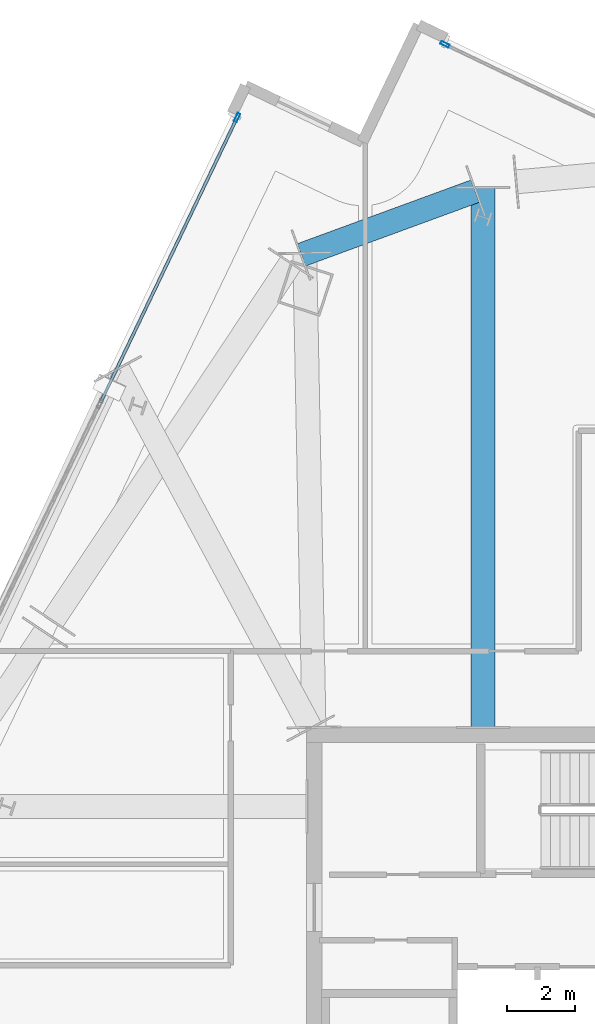
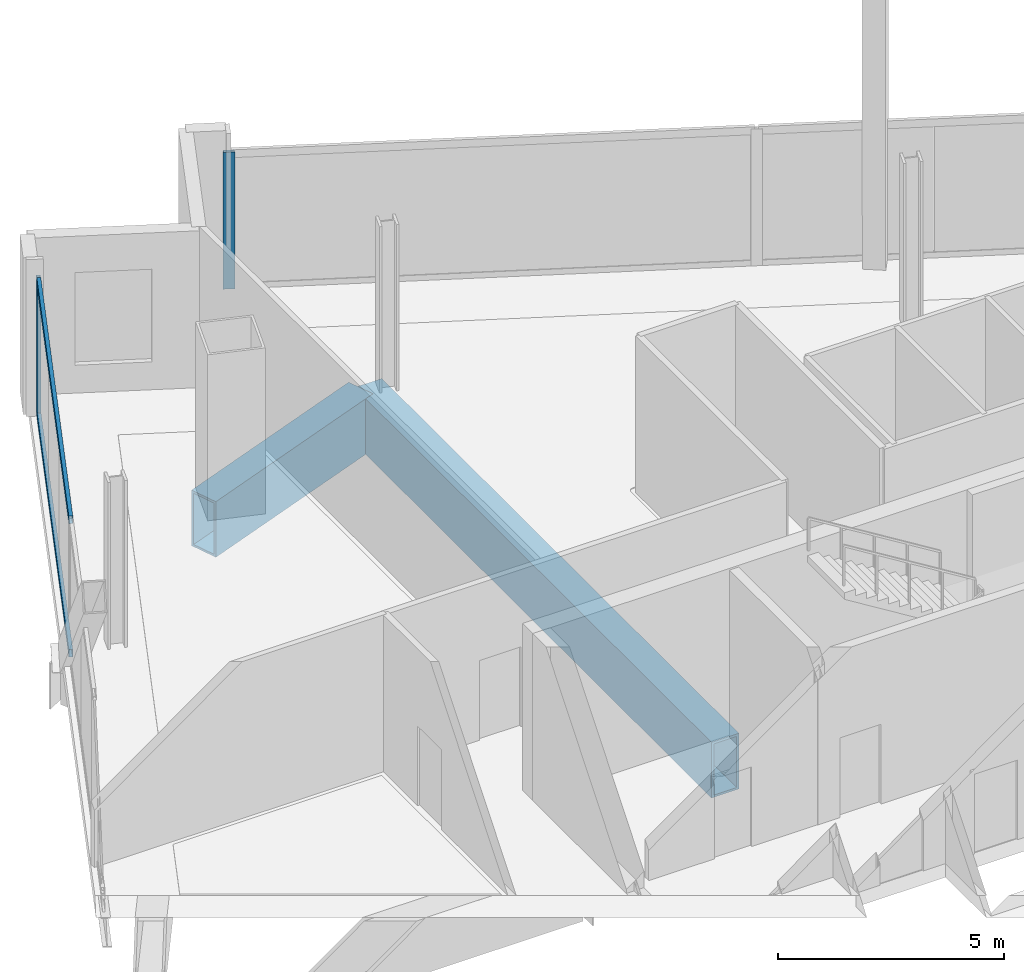
# One storey, part 11 of 24: 4 members, 2 beams, 2 elements without a shape of their own.
"""IFC4 building model written with IfcOpenShell, lengths in metres."""

import ifcopenshell
import ifcopenshell.guid

model = None  # the IFC model being written
_history = None  # IfcOwnerHistory: only IFC2X3 demands one
_inside = {}  # id of a spatial element -> (the spatial element, [elements in it])
_under = {}  # id of a project, library or spatial element -> (it, [spatial elements below it])
_declared = {}  # id of a project -> (the project, [libraries it declares])
_typed = {}  # id of a type object -> (the type object, [elements of that type])
_made_of = {}  # id of a material, layer set ... -> (it, [elements and type objects made of it])


def new_model(schema):
    """Start an empty IFC model of exactly this schema.

    Asked for "IFC4X3", IfcOpenShell would pick the latest addendum, in which some entities
    have other attributes; the version numbers below select the first issue.
    IFC2X3 requires an IfcOwnerHistory on every rooted entity: one is made here for all.
    """
    global model, _history
    if schema == "IFC4X3":
        model = ifcopenshell.file(schema_version=(4, 3, 0, 0))
    else:
        model = ifcopenshell.file(schema=schema)
    _inside.clear()
    _under.clear()
    _declared.clear()
    _typed.clear()
    _made_of.clear()
    _history = None
    if model.schema == "IFC2X3":
        org = make("IfcOrganization", Name="unknown")
        user = make(
            "IfcPersonAndOrganization",
            ThePerson=make("IfcPerson", FamilyName="unknown"),
            TheOrganization=org,
        )
        app = make(
            "IfcApplication",
            ApplicationDeveloper=org,
            Version="unknown",
            ApplicationFullName="unknown",
            ApplicationIdentifier="unknown",
        )
        _history = make(
            "IfcOwnerHistory",
            OwningUser=user,
            OwningApplication=app,
            ChangeAction="ADDED",
            CreationDate=0,
        )
    return model


def make(cls, **values):
    """One entity of the class cls with the attributes given. An attribute that is None is left unset."""
    return model.create_entity(
        cls, **{name: value for name, value in values.items() if value is not None}
    )


def rooted(cls, **values):
    """An entity with a GlobalId (a new one), such as an element, a storey or a relation."""
    return make(cls, GlobalId=ifcopenshell.guid.new(), OwnerHistory=_history, **values)


def si_unit(unit_type, name, prefix=None):
    """IfcSIUnit, for example si_unit("LENGTHUNIT", "METRE", prefix="MILLI")."""
    return make("IfcSIUnit", UnitType=unit_type, Prefix=prefix, Name=name)


def assignment(units):
    """IfcUnitAssignment: the units of a project."""
    return None if units is None else make("IfcUnitAssignment", Units=units)


def point(xyz):
    """IfcCartesianPoint."""
    return None if xyz is None else make("IfcCartesianPoint", Coordinates=xyz)


def direction(xyz):
    """IfcDirection."""
    return None if xyz is None else make("IfcDirection", DirectionRatios=xyz)


def frame(location, z_axis=None, x_axis=None):
    """IfcAxis2Placement3D, a coordinate frame: its origin and axes. An axis left out is left unset."""
    return make(
        "IfcAxis2Placement3D",
        Location=point(location),
        Axis=direction(z_axis),
        RefDirection=direction(x_axis),
    )


def frame_2d(location, x_axis=None):
    """IfcAxis2Placement2D, a coordinate frame in the plane: its origin and x axis."""
    return make(
        "IfcAxis2Placement2D", Location=point(location), RefDirection=direction(x_axis)
    )


def origin():
    """The frame at (0, 0, 0) with its axes left unset."""
    return frame((0.0, 0.0, 0.0))


def origin_2d():
    """The frame at (0, 0) in the plane with its x axis left unset."""
    return frame_2d((0.0, 0.0))


def place(relative_to, where):
    """IfcLocalPlacement: puts the frame where relative to a parent placement (None: the world)."""
    return make(
        "IfcLocalPlacement", PlacementRelTo=relative_to, RelativePlacement=where
    )


def context(
    kind, dimensions, precision=None, world=None, true_north=None, identifier=None
):
    """IfcGeometricRepresentationContext, for example the 3D "Model" context."""
    return make(
        "IfcGeometricRepresentationContext",
        ContextIdentifier=identifier,
        ContextType=kind,
        CoordinateSpaceDimension=dimensions,
        Precision=precision,
        WorldCoordinateSystem=world,
        TrueNorth=true_north,
    )


def subcontext(parent, identifier, kind, view, scale=None):
    """IfcGeometricRepresentationSubContext, for example "Body" below "Model"."""
    return make(
        "IfcGeometricRepresentationSubContext",
        ContextIdentifier=identifier,
        ContextType=kind,
        ParentContext=parent,
        TargetScale=scale,
        TargetView=view,
    )


def project(units=None, contexts=None):
    """IfcProject with its units and contexts."""
    return rooted(
        "IfcProject",
        Name="project",
        RepresentationContexts=contexts,
        UnitsInContext=assignment(units),
    )


def spatial(cls, under=None, at=None, **own):
    """A site, building, storey or space (cls), placed at a placement, below another one or the project."""
    s = rooted(cls, ObjectPlacement=at, **own)
    if under is not None:
        _under.setdefault(under.id(), (under, []))[1].append(s)
    return s


def profile(cls, at=None, kind="AREA", **sizes):
    """A parametric profile (cls). Its sizes go by their IFC names, for example OverallWidth=200.0."""
    return make(cls, ProfileType=kind, Position=at, **sizes)


def hollow_rectangle(**sizes):
    """IfcRectangleHollowProfileDef."""
    return profile("IfcRectangleHollowProfileDef", **sizes)


def extrude(swept, where, along, depth):
    """IfcExtrudedAreaSolid: the profile swept, set in the frame where, extruded along a direction by depth."""
    return make(
        "IfcExtrudedAreaSolid",
        SweptArea=swept,
        Position=where,
        ExtrudedDirection=direction(along),
        Depth=depth,
    )


def shape(context_of_items, identifier, shape_type, items):
    """IfcShapeRepresentation: the items that make up one representation, for example the "Body"."""
    return make(
        "IfcShapeRepresentation",
        ContextOfItems=context_of_items,
        RepresentationIdentifier=identifier,
        RepresentationType=shape_type,
        Items=items,
    )


def material(Name=None, Category=None):
    """IfcMaterial."""
    return make("IfcMaterial", Name=Name, Category=Category)


def material_profile(
    of_material, cross_section, Name=None, Category=None, Priority=None
):
    """IfcMaterialProfile: a cross section and its material."""
    return make(
        "IfcMaterialProfile",
        Name=Name,
        Material=of_material,
        Profile=cross_section,
        Priority=Priority,
        Category=Category,
    )


def profile_set(profiles, Name=None, composite=None):
    """IfcMaterialProfileSet."""
    return make(
        "IfcMaterialProfileSet",
        Name=Name,
        MaterialProfiles=profiles,
        CompositeProfile=composite,
    )


def made_of(thing, what):
    """Note that an element or type object is made of a material, layer set ...; save() writes the relation."""
    if what is not None:
        _made_of.setdefault(what.id(), (what, []))[1].append(thing)
    return thing


def type_object(cls, material=None, **own):
    """A type object (cls), such as IfcWallType, which elements share."""
    return made_of(rooted(cls, **own), material)


def element(
    cls,
    number,
    at=None,
    inside=None,
    cuts=None,
    type_object=None,
    material=None,
    context=None,
    identifier="Body",
    shape_type=None,
    held_by="IfcProductDefinitionShape",
    body=None,
    shapes=None,
    **own,
):
    """One element of the class cls, such as IfcWall. Its Tag is "e" and its number.

    at: its placement. inside: the storey or other place that contains it. cuts: it is an
    opening in that element (IfcRelVoidsElement). A single representation is given by context,
    identifier, shape_type and body (its items); several are given by shapes. held_by: the class
    of the entity that holds the representations. save() writes the other relations.
    """
    e = rooted(cls, Tag="e%d" % number, ObjectPlacement=at, **own)
    if body is not None:
        shapes = [shape(context, identifier, shape_type, body)]
    if shapes is not None:
        e.Representation = make(held_by, Representations=shapes)
    if inside is not None:
        _inside.setdefault(inside.id(), (inside, []))[1].append(e)
    if cuts is not None:
        rooted(
            "IfcRelVoidsElement", RelatingBuildingElement=cuts, RelatedOpeningElement=e
        )
    if type_object is not None:
        _typed.setdefault(type_object.id(), (type_object, []))[1].append(e)
    return made_of(e, material)


def aggregate(whole, parts):
    """IfcRelAggregates: a whole, such as a stair, and the parts it consists of."""
    return rooted("IfcRelAggregates", RelatingObject=whole, RelatedObjects=parts)


def save(model, path):
    """Write the relations noted so far, then the file.

    IfcRelAggregates (storeys below a building ...), IfcRelContainedInSpatialStructure (elements
    in a storey), IfcRelDefinesByType, IfcRelAssociatesMaterial and IfcRelDeclares: one each for
    every whole, place, type object, material and project.
    """
    for whole, parts in _under.values():
        aggregate(whole, parts)
    for where, things in _inside.values():
        rooted(
            "IfcRelContainedInSpatialStructure",
            RelatedElements=things,
            RelatingStructure=where,
        )
    for kind, things in _typed.values():
        rooted("IfcRelDefinesByType", RelatedObjects=things, RelatingType=kind)
    for what, things in _made_of.values():
        rooted("IfcRelAssociatesMaterial", RelatedObjects=things, RelatingMaterial=what)
    for by, libraries in _declared.values():
        rooted("IfcRelDeclares", RelatingContext=by, RelatedDefinitions=libraries)
    model.write(path)


model = new_model("IFC4")

# Units and contexts
model_context = context("Model", 3, precision=1e-05, world=origin(), true_north=direction((0.0, 1.0)))
body_context = subcontext(model_context, "Body", "Model", "MODEL_VIEW")
ifc_project = project(units=[si_unit("LENGTHUNIT", "METRE"), si_unit("AREAUNIT", "SQUARE_METRE"), si_unit("VOLUMEUNIT", "CUBIC_METRE"), si_unit("PLANEANGLEUNIT", "RADIAN"), si_unit("MASSUNIT", "GRAM", prefix="KILO")], contexts=[model_context])

# Site, building, storey
site_placement = place(None, origin())
site = spatial("IfcSite", under=ifc_project, at=site_placement, CompositionType="ELEMENT")
building_placement = place(site_placement, origin())
building = spatial("IfcBuilding", under=site, at=building_placement, Name="Haldenkirk Collegiate Tower", CompositionType="ELEMENT")
storey_placement = place(building_placement, frame((0.0, 0.0, 244.199951171875)))
storey = spatial("IfcBuildingStorey", under=building, at=storey_placement, Name="L61", CompositionType="ELEMENT", Elevation=244.199951171875)

# Beams
ifc_material_1 = material(Name="Steel ASTM A572 Grade 50", Category="steel")
ifc_material_profile_1 = material_profile(ifc_material_1, hollow_rectangle(XDim=0.699951171875, YDim=1.5, WallThickness=0.06005859375, at=origin_2d()), Name="BOX1500X700X60")
ifc_profile_set_1 = profile_set([ifc_material_profile_1], Name="Steel ASTM A572 Grade 50")
beam_type = type_object("IfcBeamType", Name="BM-TRANSFER-BOX1500X700X60", PredefinedType="BEAM", material=ifc_profile_set_1)
beam_1_placement = place(storey_placement, frame((31.716796875, 49.923828125, -1.14990234375), z_axis=(-0.938842319963, -0.344347351153, 0.0), x_axis=(0.344347351153, -0.938842319963, 0.0)))
element("IfcBeam", 1, at=beam_1_placement, inside=storey, type_object=beam_type, Name="L61 sky-lobby perimeter transfer girder 09", PredefinedType="BEAM", context=body_context, shape_type="SweptSolid", body=[
    extrude(hollow_rectangle(XDim=0.699951171875, YDim=1.5, WallThickness=0.06005859375, at=origin_2d()), origin(), (0.0, 0.0, 1.0), 5.416748046875),
])
beam_2_placement = place(storey_placement, frame((31.949462890625, 50.00927734375, -1.14990234375), z_axis=(0.0, -1.0, 0.0), x_axis=(1.0, 0.0, 0.0)))
element("IfcBeam", 2, at=beam_2_placement, inside=storey, type_object=beam_type, Name="L61 sky-lobby radial transfer girder 10", PredefinedType="BEAM", context=body_context, shape_type="SweptSolid", body=[
    extrude(hollow_rectangle(XDim=0.699951171875, YDim=1.5, WallThickness=0.06005859375, at=origin_2d()), origin(), (0.0, 0.0, 1.0), 15.779296875),
])

# Curtain wall, member
ifc_material_2 = material(Name="Anodised architectural bronze aluminium", Category="aluminium")
curtain_wall_type = type_object("IfcCurtainWallType", Name="CW-SYS4-SKYGARDEN", PredefinedType="USERDEFINED", material=ifc_material_2)
curtain_wall_1_placement = place(storey_placement, origin())
curtain_wall_1 = element("IfcCurtainWall", 3, at=curtain_wall_1_placement, inside=storey, type_object=curtain_wall_type, Name="L61 Sky-garden tall bronze curtain wall", ObjectType="UNITISED CURTAIN WALL", PredefinedType="USERDEFINED")
ifc_material_profile_2 = material_profile(ifc_material_2, hollow_rectangle(XDim=0.090087890625, YDim=0.260009765625, WallThickness=0.0048828125, at=origin_2d()), Name="CW-MUL-04")
ifc_profile_set_2 = profile_set([ifc_material_profile_2], Name="Anodised architectural bronze aluminium")
member_type_1 = type_object("IfcMemberType", Name="CW-MUL-04", PredefinedType="MULLION", material=ifc_profile_set_2)
member_1_placement = place(storey_placement, frame((30.83251953125, 54.223388671875, 0.0), z_axis=(0.0, 0.0, 1.0), x_axis=(0.432084272206, 0.90183323387, 0.0)))
member_1 = element("IfcMember", 4, at=member_1_placement, type_object=member_type_1, Name="CW-04 mullion 1", PredefinedType="MULLION", context=body_context, shape_type="SweptSolid", body=[
    extrude(hollow_rectangle(XDim=0.090087890625, YDim=0.260009765625, WallThickness=0.0048828125, at=origin_2d()), origin(), (0.0, 0.0, 1.0), 3.68798828125),
])
aggregate(curtain_wall_1, [member_1])

# Curtain wall, members
curtain_wall_2_placement = place(storey_placement, origin())
curtain_wall_2 = element("IfcCurtainWall", 5, at=curtain_wall_2_placement, inside=storey, type_object=curtain_wall_type, Name="L61 Sky-garden tall bronze curtain wall", ObjectType="UNITISED CURTAIN WALL", PredefinedType="USERDEFINED")
member_2_placement = place(storey_placement, frame((24.7431640625, 52.0791015625, 0.0), z_axis=(0.0, 0.0, 1.0), x_axis=(-0.90183341563, 0.432083892841, 0.0)))
member_2 = element("IfcMember", 6, at=member_2_placement, type_object=member_type_1, Name="CW-04 mullion 5", PredefinedType="MULLION", context=body_context, shape_type="SweptSolid", body=[
    extrude(hollow_rectangle(XDim=0.090087890625, YDim=0.260009765625, WallThickness=0.0048828125, at=origin_2d()), origin(), (0.0, 0.0, 1.0), 3.68798828125),
])
ifc_material_profile_3 = material_profile(ifc_material_2, hollow_rectangle(XDim=0.090087890625, YDim=0.2099609375, WallThickness=0.0048828125, at=origin_2d()), Name="CW-TRN-04")
ifc_profile_set_3 = profile_set([ifc_material_profile_3], Name="Anodised architectural bronze aluminium")
member_type_2 = type_object("IfcMemberType", Name="CW-TRN-04", PredefinedType="USERDEFINED", material=ifc_profile_set_3)
member_3_placement = place(storey_placement, frame((20.7421875, 43.72802734375, 0.045166015625), z_axis=(0.432091002178, 0.90183000939, 0.0), x_axis=(-0.90183000939, 0.432091002178, 0.0)))
member_3 = element("IfcMember", 7, at=member_3_placement, type_object=member_type_2, Name="CW-04 transom 4.1", ObjectType="TRANSOM", PredefinedType="USERDEFINED", context=body_context, shape_type="SweptSolid", body=[
    extrude(hollow_rectangle(XDim=0.090087890625, YDim=0.2099609375, WallThickness=0.0048828125, at=origin_2d()), origin(), (0.0, 0.0, 1.0), 9.21484375),
])
member_4_placement = place(storey_placement, frame((20.7421875, 43.72802734375, 3.64306640625), z_axis=(0.432091002178, 0.90183000939, 0.0), x_axis=(-0.90183000939, 0.432091002178, 0.0)))
member_4 = element("IfcMember", 8, at=member_4_placement, type_object=member_type_2, Name="CW-04 transom 4.2", ObjectType="TRANSOM", PredefinedType="USERDEFINED", context=body_context, shape_type="SweptSolid", body=[
    extrude(hollow_rectangle(XDim=0.090087890625, YDim=0.2099609375, WallThickness=0.0048828125, at=origin_2d()), origin(), (0.0, 0.0, 1.0), 9.21484375),
])
aggregate(curtain_wall_2, [member_2, member_3, member_4])

save(model, "model.ifc")
